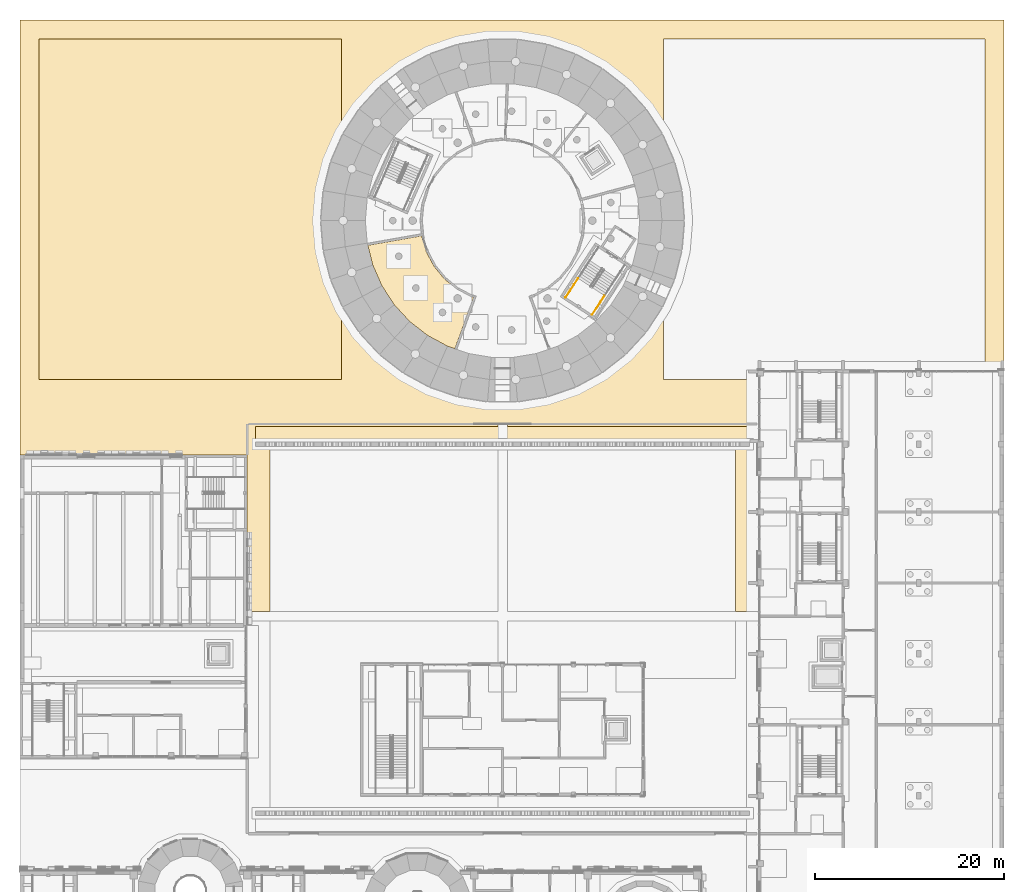
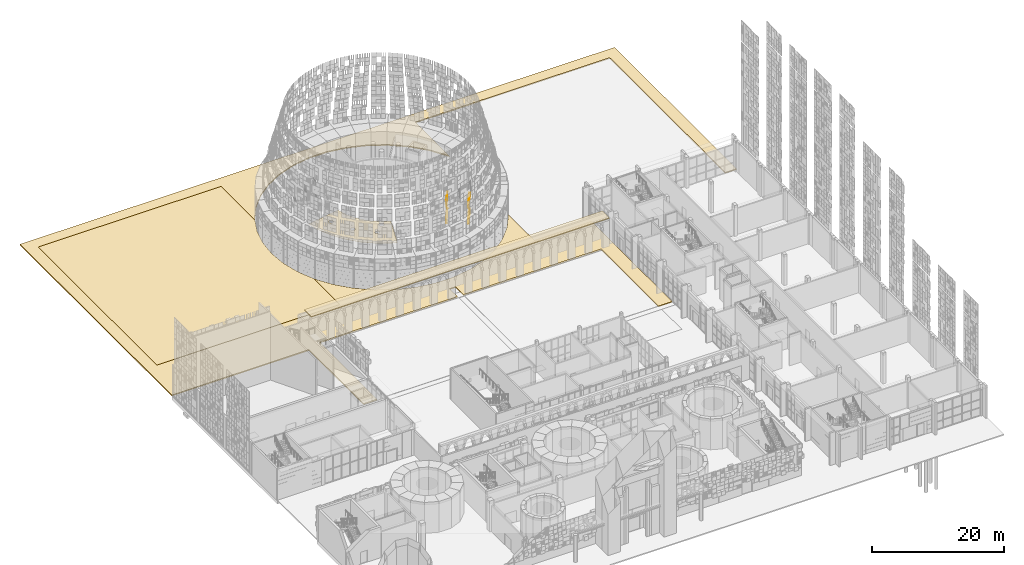
# One storey, part 118 of 125: 4 coverings, 4 railings.
"""IFC4 building model written with IfcOpenShell, lengths in metres."""

import ifcopenshell
import ifcopenshell.guid

model = None  # the IFC model being written
_history = None  # IfcOwnerHistory: only IFC2X3 demands one
_inside = {}  # id of a spatial element -> (the spatial element, [elements in it])
_under = {}  # id of a project, library or spatial element -> (it, [spatial elements below it])
_declared = {}  # id of a project -> (the project, [libraries it declares])
_typed = {}  # id of a type object -> (the type object, [elements of that type])
_made_of = {}  # id of a material, layer set ... -> (it, [elements and type objects made of it])


def new_model(schema):
    """Start an empty IFC model of exactly this schema.

    Asked for "IFC4X3", IfcOpenShell would pick the latest addendum, in which some entities
    have other attributes; the version numbers below select the first issue.
    IFC2X3 requires an IfcOwnerHistory on every rooted entity: one is made here for all.
    """
    global model, _history
    if schema == "IFC4X3":
        model = ifcopenshell.file(schema_version=(4, 3, 0, 0))
    else:
        model = ifcopenshell.file(schema=schema)
    _inside.clear()
    _under.clear()
    _declared.clear()
    _typed.clear()
    _made_of.clear()
    _history = None
    if model.schema == "IFC2X3":
        org = make("IfcOrganization", Name="unknown")
        user = make(
            "IfcPersonAndOrganization",
            ThePerson=make("IfcPerson", FamilyName="unknown"),
            TheOrganization=org,
        )
        app = make(
            "IfcApplication",
            ApplicationDeveloper=org,
            Version="unknown",
            ApplicationFullName="unknown",
            ApplicationIdentifier="unknown",
        )
        _history = make(
            "IfcOwnerHistory",
            OwningUser=user,
            OwningApplication=app,
            ChangeAction="ADDED",
            CreationDate=0,
        )
    return model


def make(cls, **values):
    """One entity of the class cls with the attributes given. An attribute that is None is left unset."""
    return model.create_entity(
        cls, **{name: value for name, value in values.items() if value is not None}
    )


def rooted(cls, **values):
    """An entity with a GlobalId (a new one), such as an element, a storey or a relation."""
    return make(cls, GlobalId=ifcopenshell.guid.new(), OwnerHistory=_history, **values)


def si_unit(unit_type, name, prefix=None):
    """IfcSIUnit, for example si_unit("LENGTHUNIT", "METRE", prefix="MILLI")."""
    return make("IfcSIUnit", UnitType=unit_type, Prefix=prefix, Name=name)


def assignment(units):
    """IfcUnitAssignment: the units of a project."""
    return None if units is None else make("IfcUnitAssignment", Units=units)


def point(xyz):
    """IfcCartesianPoint."""
    return None if xyz is None else make("IfcCartesianPoint", Coordinates=xyz)


def direction(xyz):
    """IfcDirection."""
    return None if xyz is None else make("IfcDirection", DirectionRatios=xyz)


def frame(location, z_axis=None, x_axis=None):
    """IfcAxis2Placement3D, a coordinate frame: its origin and axes. An axis left out is left unset."""
    return make(
        "IfcAxis2Placement3D",
        Location=point(location),
        Axis=direction(z_axis),
        RefDirection=direction(x_axis),
    )


def frame_2d(location, x_axis=None):
    """IfcAxis2Placement2D, a coordinate frame in the plane: its origin and x axis."""
    return make(
        "IfcAxis2Placement2D", Location=point(location), RefDirection=direction(x_axis)
    )


def origin():
    """The frame at (0, 0, 0) with its axes left unset."""
    return frame((0.0, 0.0, 0.0))


def origin_2d():
    """The frame at (0, 0) in the plane with its x axis left unset."""
    return frame_2d((0.0, 0.0))


def place(relative_to, where):
    """IfcLocalPlacement: puts the frame where relative to a parent placement (None: the world)."""
    return make(
        "IfcLocalPlacement", PlacementRelTo=relative_to, RelativePlacement=where
    )


def context(
    kind, dimensions, precision=None, world=None, true_north=None, identifier=None
):
    """IfcGeometricRepresentationContext, for example the 3D "Model" context."""
    return make(
        "IfcGeometricRepresentationContext",
        ContextIdentifier=identifier,
        ContextType=kind,
        CoordinateSpaceDimension=dimensions,
        Precision=precision,
        WorldCoordinateSystem=world,
        TrueNorth=true_north,
    )


def subcontext(parent, identifier, kind, view, scale=None):
    """IfcGeometricRepresentationSubContext, for example "Body" below "Model"."""
    return make(
        "IfcGeometricRepresentationSubContext",
        ContextIdentifier=identifier,
        ContextType=kind,
        ParentContext=parent,
        TargetScale=scale,
        TargetView=view,
    )


def project(units=None, contexts=None):
    """IfcProject with its units and contexts."""
    return rooted(
        "IfcProject",
        Name="project",
        RepresentationContexts=contexts,
        UnitsInContext=assignment(units),
    )


def spatial(cls, under=None, at=None, **own):
    """A site, building, storey or space (cls), placed at a placement, below another one or the project."""
    s = rooted(cls, ObjectPlacement=at, **own)
    if under is not None:
        _under.setdefault(under.id(), (under, []))[1].append(s)
    return s


def polyline(points):
    """IfcPolyline through the points."""
    return make("IfcPolyline", Points=[point(p) for p in points])


def profile(cls, at=None, kind="AREA", **sizes):
    """A parametric profile (cls). Its sizes go by their IFC names, for example OverallWidth=200.0."""
    return make(cls, ProfileType=kind, Position=at, **sizes)


def circle(**sizes):
    """IfcCircleProfileDef."""
    return profile("IfcCircleProfileDef", **sizes)


def outline(outer, holes=None, kind="AREA"):
    """IfcArbitraryClosedProfileDef: a profile drawn as a closed curve; with holes, ...WithVoids."""
    if holes is None:
        return make("IfcArbitraryClosedProfileDef", ProfileType=kind, OuterCurve=outer)
    return make(
        "IfcArbitraryProfileDefWithVoids",
        ProfileType=kind,
        OuterCurve=outer,
        InnerCurves=holes,
    )


def extrude(swept, where, along, depth):
    """IfcExtrudedAreaSolid: the profile swept, set in the frame where, extruded along a direction by depth."""
    return make(
        "IfcExtrudedAreaSolid",
        SweptArea=swept,
        Position=where,
        ExtrudedDirection=direction(along),
        Depth=depth,
    )


def shape(context_of_items, identifier, shape_type, items):
    """IfcShapeRepresentation: the items that make up one representation, for example the "Body"."""
    return make(
        "IfcShapeRepresentation",
        ContextOfItems=context_of_items,
        RepresentationIdentifier=identifier,
        RepresentationType=shape_type,
        Items=items,
    )


def material(Name=None, Category=None):
    """IfcMaterial."""
    return make("IfcMaterial", Name=Name, Category=Category)


def layer(
    of_material, thickness, ventilated=None, Name=None, Category=None, Priority=None
):
    """IfcMaterialLayer: one layer of a wall or slab, of a material (None: an air gap)."""
    return make(
        "IfcMaterialLayer",
        Material=of_material,
        LayerThickness=thickness,
        IsVentilated=ventilated,
        Name=Name,
        Category=Category,
        Priority=Priority,
    )


def layer_set(layers, Name=None):
    """IfcMaterialLayerSet."""
    return make("IfcMaterialLayerSet", MaterialLayers=layers, LayerSetName=Name)


def made_of(thing, what):
    """Note that an element or type object is made of a material, layer set ...; save() writes the relation."""
    if what is not None:
        _made_of.setdefault(what.id(), (what, []))[1].append(thing)
    return thing


def type_object(cls, material=None, **own):
    """A type object (cls), such as IfcWallType, which elements share."""
    return made_of(rooted(cls, **own), material)


def element(
    cls,
    number,
    at=None,
    inside=None,
    cuts=None,
    type_object=None,
    material=None,
    context=None,
    identifier="Body",
    shape_type=None,
    held_by="IfcProductDefinitionShape",
    body=None,
    shapes=None,
    **own,
):
    """One element of the class cls, such as IfcWall. Its Tag is "e" and its number.

    at: its placement. inside: the storey or other place that contains it. cuts: it is an
    opening in that element (IfcRelVoidsElement). A single representation is given by context,
    identifier, shape_type and body (its items); several are given by shapes. held_by: the class
    of the entity that holds the representations. save() writes the other relations.
    """
    e = rooted(cls, Tag="e%d" % number, ObjectPlacement=at, **own)
    if body is not None:
        shapes = [shape(context, identifier, shape_type, body)]
    if shapes is not None:
        e.Representation = make(held_by, Representations=shapes)
    if inside is not None:
        _inside.setdefault(inside.id(), (inside, []))[1].append(e)
    if cuts is not None:
        rooted(
            "IfcRelVoidsElement", RelatingBuildingElement=cuts, RelatedOpeningElement=e
        )
    if type_object is not None:
        _typed.setdefault(type_object.id(), (type_object, []))[1].append(e)
    return made_of(e, material)


def aggregate(whole, parts):
    """IfcRelAggregates: a whole, such as a stair, and the parts it consists of."""
    return rooted("IfcRelAggregates", RelatingObject=whole, RelatedObjects=parts)


def save(model, path):
    """Write the relations noted so far, then the file.

    IfcRelAggregates (storeys below a building ...), IfcRelContainedInSpatialStructure (elements
    in a storey), IfcRelDefinesByType, IfcRelAssociatesMaterial and IfcRelDeclares: one each for
    every whole, place, type object, material and project.
    """
    for whole, parts in _under.values():
        aggregate(whole, parts)
    for where, things in _inside.values():
        rooted(
            "IfcRelContainedInSpatialStructure",
            RelatedElements=things,
            RelatingStructure=where,
        )
    for kind, things in _typed.values():
        rooted("IfcRelDefinesByType", RelatedObjects=things, RelatingType=kind)
    for what, things in _made_of.values():
        rooted("IfcRelAssociatesMaterial", RelatedObjects=things, RelatingMaterial=what)
    for by, libraries in _declared.values():
        rooted("IfcRelDeclares", RelatingContext=by, RelatedDefinitions=libraries)
    model.write(path)


model = new_model("IFC4")

# Units and contexts
model_context = context("Model", 3, precision=1e-05, world=origin(), true_north=direction((0.0, 1.0)))
body_context = subcontext(model_context, "Body", "Model", "MODEL_VIEW")
ifc_project = project(units=[si_unit("LENGTHUNIT", "METRE"), si_unit("AREAUNIT", "SQUARE_METRE"), si_unit("VOLUMEUNIT", "CUBIC_METRE"), si_unit("PLANEANGLEUNIT", "RADIAN"), si_unit("MASSUNIT", "GRAM", prefix="KILO")], contexts=[model_context])

# Site, building, storey
site_placement = place(None, origin())
site = spatial("IfcSite", under=ifc_project, at=site_placement, CompositionType="ELEMENT")
building_placement = place(site_placement, origin())
building = spatial("IfcBuilding", under=site, at=building_placement, Name="Sun Court Science Centre", CompositionType="ELEMENT")
storey_placement = place(building_placement, origin())
storey = spatial("IfcBuildingStorey", under=building, at=storey_placement, Name="L00", CompositionType="ELEMENT", Elevation=0.0)

# Coverings
ifc_material_1 = material(Name="Clay roof tiles")
ifc_layer_1 = layer(ifc_material_1, 0.14990234375)
ifc_layer_set_1 = layer_set([ifc_layer_1], Name="Clay roof tiles")
covering_type_1 = type_object("IfcCoveringType", Name="Arcade roof tiles 150", PredefinedType="ROOFING", material=ifc_layer_set_1)
covering_1_placement = place(storey_placement, frame((0.0, 0.0, 5.10009765625)))
element("IfcCovering", 1, at=covering_1_placement, inside=storey, type_object=covering_type_1, Name="Arcade roof AR2", PredefinedType="ROOFING", context=body_context, shape_type="SweptSolid", body=[
    extrude(outline(polyline([(24.89990234375, 72.89990234375), (77.10009765625, 72.89990234375), (77.10009765625, 75.050048828125), (24.89990234375, 75.050048828125), (24.89990234375, 72.89990234375)])), origin(), (0.0, 0.0, 1.0), 0.14990234375),
])
ifc_material_2 = material(Name="Perforated steel", Category="steel")
ifc_layer_2 = layer(ifc_material_2, 0.030029296875)
ifc_layer_set_2 = layer_set([ifc_layer_2], Name="Perforated steel")
covering_type_2 = type_object("IfcCoveringType", Name="Ceiling acoustic perforated", PredefinedType="CEILING", material=ifc_layer_set_2)
covering_2_placement = place(storey_placement, frame((0.0, 0.0, 5.27001953125)))
element("IfcCovering", 2, at=covering_2_placement, inside=storey, type_object=covering_type_2, Name="L00-088 ceiling", PredefinedType="CEILING", context=body_context, shape_type="SweptSolid", body=[
    extrude(outline(polyline([(38.2490234375, 89.899658203125), (37.287353515625, 92.09228515625), (36.7568359375, 94.18701171875), (42.4580078125, 95.192138671875), (42.466796875, 95.1025390625), (42.9619140625, 93.470458984375), (43.765869140625, 91.96630859375), (44.847900390625, 90.647705078125), (46.166259765625, 89.56591796875), (47.67041015625, 88.76171875), (47.938232421875, 88.680419921875), (45.962890625, 83.252685546875), (45.176025390625, 83.52294921875), (43.0703125, 84.66259765625), (41.1806640625, 86.13330078125), (39.558837890625, 87.89501953125), (38.2490234375, 89.899658203125)]), holes=[polyline([(46.649169921875, 88.546630859375), (46.64990234375, 88.57275390625), (46.649169921875, 88.598876953125), (46.646484375, 88.625), (46.642333984375, 88.65087890625), (46.636474609375, 88.67626953125), (46.62890625, 88.701416015625), (46.61962890625, 88.725830078125), (46.608642578125, 88.749755859375), (46.596435546875, 88.772705078125), (46.58251953125, 88.794921875), (46.5673828125, 88.81640625), (46.55078125, 88.83642578125), (46.53271484375, 88.855712890625), (46.513671875, 88.87353515625), (46.493408203125, 88.89013671875), (46.47216796875, 88.9052734375), (46.449951171875, 88.919189453125), (46.427001953125, 88.931396484375), (46.403076171875, 88.9423828125), (46.378662109375, 88.951416015625), (46.353515625, 88.958984375), (46.327880859375, 88.965087890625), (46.30224609375, 88.96923828125), (46.276123046875, 88.971923828125), (46.25, 88.972900390625), (46.223876953125, 88.971923828125), (46.19775390625, 88.96923828125), (46.172119140625, 88.965087890625), (46.146484375, 88.958984375), (46.121337890625, 88.951416015625), (46.096923828125, 88.9423828125), (46.072998046875, 88.931396484375), (46.050048828125, 88.919189453125), (46.02783203125, 88.9052734375), (46.006591796875, 88.89013671875), (45.986328125, 88.87353515625), (45.96728515625, 88.855712890625), (45.94921875, 88.83642578125), (45.9326171875, 88.81640625), (45.91748046875, 88.794921875), (45.903564453125, 88.772705078125), (45.891357421875, 88.749755859375), (45.88037109375, 88.725830078125), (45.87109375, 88.701416015625), (45.863525390625, 88.67626953125), (45.857666015625, 88.65087890625), (45.853515625, 88.625), (45.850830078125, 88.598876953125), (45.85009765625, 88.57275390625), (45.850830078125, 88.546630859375), (45.853515625, 88.5205078125), (45.857666015625, 88.49462890625), (45.863525390625, 88.46923828125), (45.87109375, 88.444091796875), (45.88037109375, 88.419677734375), (45.891357421875, 88.395751953125), (45.903564453125, 88.372802734375), (45.91748046875, 88.3505859375), (45.9326171875, 88.329345703125), (45.94921875, 88.30908203125), (45.96728515625, 88.289794921875), (45.986328125, 88.27197265625), (46.006591796875, 88.25537109375), (46.02783203125, 88.240234375), (46.050048828125, 88.226318359375), (46.072998046875, 88.214111328125), (46.096923828125, 88.203125), (46.121337890625, 88.194091796875), (46.146484375, 88.186279296875), (46.172119140625, 88.180419921875), (46.19775390625, 88.17626953125), (46.223876953125, 88.173583984375), (46.25, 88.1728515625), (46.276123046875, 88.173583984375), (46.30224609375, 88.17626953125), (46.327880859375, 88.180419921875), (46.353515625, 88.186279296875), (46.378662109375, 88.194091796875), (46.403076171875, 88.203125), (46.427001953125, 88.214111328125), (46.449951171875, 88.226318359375), (46.47216796875, 88.240234375), (46.493408203125, 88.25537109375), (46.513671875, 88.27197265625), (46.53271484375, 88.289794921875), (46.55078125, 88.30908203125), (46.5673828125, 88.329345703125), (46.58251953125, 88.3505859375), (46.596435546875, 88.372802734375), (46.608642578125, 88.395751953125), (46.61962890625, 88.419677734375), (46.62890625, 88.444091796875), (46.636474609375, 88.46923828125), (46.642333984375, 88.49462890625), (46.646484375, 88.5205078125), (46.649169921875, 88.546630859375)]), polyline([(44.998779296875, 87.0205078125), (45.00244140625, 87.043212890625), (45.004638671875, 87.06591796875), (45.00537109375, 87.0888671875), (45.004638671875, 87.11181640625), (45.00244140625, 87.134521484375), (44.998779296875, 87.1572265625), (44.993408203125, 87.179443359375), (44.98681640625, 87.201416015625), (44.978759765625, 87.222900390625), (44.96923828125, 87.24365234375), (44.95849609375, 87.263916015625), (44.9462890625, 87.283203125), (44.93310546875, 87.302001953125), (44.91845703125, 87.319580078125), (44.90283203125, 87.33642578125), (44.88623046875, 87.35205078125), (44.868408203125, 87.366455078125), (44.849853515625, 87.3798828125), (44.830322265625, 87.39208984375), (44.810302734375, 87.40283203125), (44.789306640625, 87.412109375), (44.767822265625, 87.42041015625), (44.74609375, 87.427001953125), (44.7236328125, 87.43212890625), (44.701171875, 87.435791015625), (44.67822265625, 87.43798828125), (44.655517578125, 87.43896484375), (44.632568359375, 87.43798828125), (44.609619140625, 87.435791015625), (44.587158203125, 87.43212890625), (44.564697265625, 87.427001953125), (44.54296875, 87.42041015625), (44.521484375, 87.412109375), (44.50048828125, 87.40283203125), (44.48046875, 87.39208984375), (44.4609375, 87.3798828125), (44.4423828125, 87.366455078125), (44.424560546875, 87.35205078125), (44.407958984375, 87.33642578125), (44.392333984375, 87.319580078125), (44.377685546875, 87.302001953125), (44.364501953125, 87.283203125), (44.352294921875, 87.263916015625), (44.341552734375, 87.24365234375), (44.33203125, 87.222900390625), (44.323974609375, 87.201416015625), (44.3173828125, 87.179443359375), (44.31201171875, 87.1572265625), (44.308349609375, 87.134521484375), (44.30615234375, 87.11181640625), (44.305419921875, 87.0888671875), (44.30615234375, 87.06591796875), (44.308349609375, 87.043212890625), (44.31201171875, 87.0205078125), (44.3173828125, 86.998291015625), (44.323974609375, 86.976318359375), (44.33203125, 86.954833984375), (44.341552734375, 86.93408203125), (44.352294921875, 86.913818359375), (44.364501953125, 86.894287109375), (44.377685546875, 86.875732421875), (44.392333984375, 86.858154296875), (44.407958984375, 86.84130859375), (44.424560546875, 86.82568359375), (44.4423828125, 86.811279296875), (44.4609375, 86.7978515625), (44.48046875, 86.785888671875), (44.50048828125, 86.77490234375), (44.521484375, 86.765380859375), (44.54296875, 86.75732421875), (44.564697265625, 86.750732421875), (44.587158203125, 86.74560546875), (44.609619140625, 86.741943359375), (44.632568359375, 86.739501953125), (44.655517578125, 86.739013671875), (44.67822265625, 86.739501953125), (44.701171875, 86.741943359375), (44.7236328125, 86.74560546875), (44.74609375, 86.750732421875), (44.767822265625, 86.75732421875), (44.789306640625, 86.765380859375), (44.810302734375, 86.77490234375), (44.830322265625, 86.785888671875), (44.849853515625, 86.7978515625), (44.868408203125, 86.811279296875), (44.88623046875, 86.82568359375), (44.90283203125, 86.84130859375), (44.91845703125, 86.858154296875), (44.93310546875, 86.875732421875), (44.9462890625, 86.894287109375), (44.95849609375, 86.913818359375), (44.96923828125, 86.93408203125), (44.978759765625, 86.954833984375), (44.98681640625, 86.976318359375), (44.993408203125, 86.998291015625), (44.998779296875, 87.0205078125)]), polyline([(42.189208984375, 89.60693359375), (42.193115234375, 89.62939453125), (42.1953125, 89.652099609375), (42.196044921875, 89.675048828125), (42.1953125, 89.697998046875), (42.193115234375, 89.720703125), (42.189208984375, 89.743408203125), (42.18408203125, 89.765625), (42.177490234375, 89.78759765625), (42.169189453125, 89.80908203125), (42.159912109375, 89.829833984375), (42.149169921875, 89.85009765625), (42.136962890625, 89.86962890625), (42.12353515625, 89.88818359375), (42.109130859375, 89.906005859375), (42.093505859375, 89.922607421875), (42.07666015625, 89.938232421875), (42.05908203125, 89.952880859375), (42.040283203125, 89.966064453125), (42.02099609375, 89.978271484375), (42.000732421875, 89.989013671875), (41.97998046875, 89.99853515625), (41.95849609375, 90.006591796875), (41.9365234375, 90.01318359375), (41.914306640625, 90.018310546875), (41.8916015625, 90.022216796875), (41.868896484375, 90.0244140625), (41.845947265625, 90.025146484375), (41.822998046875, 90.0244140625), (41.80029296875, 90.022216796875), (41.777587890625, 90.018310546875), (41.75537109375, 90.01318359375), (41.7333984375, 90.006591796875), (41.7119140625, 89.99853515625), (41.691162109375, 89.989013671875), (41.6708984375, 89.978271484375), (41.651611328125, 89.966064453125), (41.6328125, 89.952880859375), (41.615234375, 89.938232421875), (41.598388671875, 89.922607421875), (41.582763671875, 89.906005859375), (41.568359375, 89.88818359375), (41.554931640625, 89.86962890625), (41.54296875, 89.85009765625), (41.531982421875, 89.829833984375), (41.522705078125, 89.80908203125), (41.514404296875, 89.78759765625), (41.5078125, 89.765625), (41.502685546875, 89.743408203125), (41.4990234375, 89.720703125), (41.49658203125, 89.697998046875), (41.49609375, 89.675048828125), (41.49658203125, 89.652099609375), (41.4990234375, 89.62939453125), (41.502685546875, 89.60693359375), (41.5078125, 89.58447265625), (41.514404296875, 89.5625), (41.522705078125, 89.541259765625), (41.531982421875, 89.520263671875), (41.54296875, 89.5), (41.554931640625, 89.480712890625), (41.568359375, 89.462158203125), (41.582763671875, 89.4443359375), (41.598388671875, 89.427490234375), (41.615234375, 89.412109375), (41.6328125, 89.3974609375), (41.651611328125, 89.384033203125), (41.6708984375, 89.3720703125), (41.691162109375, 89.361083984375), (41.7119140625, 89.351806640625), (41.7333984375, 89.34375), (41.75537109375, 89.337158203125), (41.777587890625, 89.331787109375), (41.80029296875, 89.328125), (41.822998046875, 89.325927734375), (41.845947265625, 89.3251953125), (41.868896484375, 89.325927734375), (41.8916015625, 89.328125), (41.914306640625, 89.331787109375), (41.9365234375, 89.337158203125), (41.95849609375, 89.34375), (41.97998046875, 89.351806640625), (42.000732421875, 89.361083984375), (42.02099609375, 89.3720703125), (42.040283203125, 89.384033203125), (42.05908203125, 89.3974609375), (42.07666015625, 89.412109375), (42.093505859375, 89.427490234375), (42.109130859375, 89.4443359375), (42.12353515625, 89.462158203125), (42.136962890625, 89.480712890625), (42.149169921875, 89.5), (42.159912109375, 89.520263671875), (42.169189453125, 89.541259765625), (42.177490234375, 89.5625), (42.18408203125, 89.58447265625), (42.189208984375, 89.60693359375)]), polyline([(40.36669921875, 92.94287109375), (40.371826171875, 92.965087890625), (40.37548828125, 92.98779296875), (40.377685546875, 93.010498046875), (40.37841796875, 93.033447265625), (40.377685546875, 93.056396484375), (40.37548828125, 93.0791015625), (40.371826171875, 93.101806640625), (40.36669921875, 93.1240234375), (40.35986328125, 93.14599609375), (40.351806640625, 93.16748046875), (40.34228515625, 93.188232421875), (40.33154296875, 93.20849609375), (40.319580078125, 93.227783203125), (40.30615234375, 93.24658203125), (40.291748046875, 93.264404296875), (40.27587890625, 93.281005859375), (40.25927734375, 93.296630859375), (40.24169921875, 93.311279296875), (40.222900390625, 93.324462890625), (40.20361328125, 93.336669921875), (40.183349609375, 93.347412109375), (40.16259765625, 93.356689453125), (40.14111328125, 93.364990234375), (40.119140625, 93.37158203125), (40.0966796875, 93.376708984375), (40.07421875, 93.380615234375), (40.051513671875, 93.3828125), (40.028564453125, 93.383544921875), (40.005615234375, 93.3828125), (39.98291015625, 93.380615234375), (39.960205078125, 93.376708984375), (39.93798828125, 93.37158203125), (39.916015625, 93.364990234375), (39.89453125, 93.356689453125), (39.873779296875, 93.347412109375), (39.853515625, 93.336669921875), (39.833984375, 93.324462890625), (39.8154296875, 93.311279296875), (39.797607421875, 93.296630859375), (39.781005859375, 93.281005859375), (39.765380859375, 93.264404296875), (39.750732421875, 93.24658203125), (39.737548828125, 93.227783203125), (39.725341796875, 93.20849609375), (39.714599609375, 93.188232421875), (39.705078125, 93.16748046875), (39.697021484375, 93.14599609375), (39.6904296875, 93.1240234375), (39.685302734375, 93.101806640625), (39.681396484375, 93.0791015625), (39.67919921875, 93.056396484375), (39.678466796875, 93.033447265625), (39.67919921875, 93.010498046875), (39.681396484375, 92.98779296875), (39.685302734375, 92.965087890625), (39.6904296875, 92.94287109375), (39.697021484375, 92.9208984375), (39.705078125, 92.8994140625), (39.714599609375, 92.878662109375), (39.725341796875, 92.8583984375), (39.737548828125, 92.839111328125), (39.750732421875, 92.8203125), (39.765380859375, 92.802734375), (39.781005859375, 92.785888671875), (39.797607421875, 92.770263671875), (39.8154296875, 92.755859375), (39.833984375, 92.742431640625), (39.853515625, 92.73046875), (39.873779296875, 92.719482421875), (39.89453125, 92.710205078125), (39.916015625, 92.7021484375), (39.93798828125, 92.6953125), (39.960205078125, 92.690185546875), (39.98291015625, 92.6865234375), (40.005615234375, 92.68408203125), (40.028564453125, 92.68359375), (40.051513671875, 92.68408203125), (40.07421875, 92.6865234375), (40.0966796875, 92.690185546875), (40.119140625, 92.6953125), (40.14111328125, 92.7021484375), (40.16259765625, 92.710205078125), (40.183349609375, 92.719482421875), (40.20361328125, 92.73046875), (40.222900390625, 92.742431640625), (40.24169921875, 92.755859375), (40.25927734375, 92.770263671875), (40.27587890625, 92.785888671875), (40.291748046875, 92.802734375), (40.30615234375, 92.8203125), (40.319580078125, 92.839111328125), (40.33154296875, 92.8583984375), (40.34228515625, 92.878662109375), (40.351806640625, 92.8994140625), (40.35986328125, 92.9208984375), (40.36669921875, 92.94287109375)])]), origin(), (0.0, 0.0, 1.0), 0.030029296875),
])

# Railings
ifc_material_3 = material(Name="Steel S275", Category="steel")
railing_type = type_object("IfcRailingType", Name="Guard 1100 steel balustrade", PredefinedType="GUARDRAIL", material=ifc_material_3)
railing_1_placement = place(storey_placement, frame((58.99072265625, 90.697998046875, 1.5)))
element("IfcRailing", 3, at=railing_1_placement, inside=storey, type_object=railing_type, Name="L00 PS1 stair guard 3", PredefinedType="GUARDRAIL", context=body_context, shape_type="SweptSolid", body=[
    extrude(circle(Radius=0.02392578125, at=origin_2d()), frame((0.0, 0.0, 1.076171875), z_axis=(-0.546968446101, -0.837153223114, 0.0), x_axis=(0.837153223114, -0.546968446101, 0.0)), (0.0, 0.0, 1.0), 2.412109375),
    extrude(circle(Radius=0.02099609375, at=origin_2d()), origin(), (0.0, 0.0, 1.0), 1.052001953125),
    extrude(circle(Radius=0.02099609375, at=origin_2d()), frame((-0.439697265625, -0.673095703125, 0.0)), (0.0, 0.0, 1.0), 1.052001953125),
    extrude(circle(Radius=0.02099609375, at=origin_2d()), frame((-0.879638671875, -1.34619140625, 0.0)), (0.0, 0.0, 1.0), 1.052001953125),
    extrude(circle(Radius=0.02099609375, at=origin_2d()), frame((-1.3193359375, -2.019287109375, 0.0)), (0.0, 0.0, 1.0), 1.052001953125),
])
railing_2_placement = place(storey_placement, frame((61.791748046875, 88.867919921875, 1.5)))
element("IfcRailing", 4, at=railing_2_placement, inside=storey, type_object=railing_type, Name="L00 PS1 stair guard 4", PredefinedType="GUARDRAIL", context=body_context, shape_type="SweptSolid", body=[
    extrude(circle(Radius=0.02392578125, at=origin_2d()), frame((0.0, 0.0, 1.076171875), z_axis=(-0.54689750582, -0.837199568877, 0.0), x_axis=(0.837199568877, -0.54689750582, 0.0)), (0.0, 0.0, 1.0), 2.411865234375),
    extrude(circle(Radius=0.02099609375, at=origin_2d()), origin(), (0.0, 0.0, 1.0), 1.052001953125),
    extrude(circle(Radius=0.02099609375, at=origin_2d()), frame((-0.439697265625, -0.673095703125, 0.0)), (0.0, 0.0, 1.0), 1.052001953125),
    extrude(circle(Radius=0.02099609375, at=origin_2d()), frame((-0.87939453125, -1.34619140625, 0.0)), (0.0, 0.0, 1.0), 1.052001953125),
    extrude(circle(Radius=0.02099609375, at=origin_2d()), frame((-1.319091796875, -2.019287109375, 0.0)), (0.0, 0.0, 1.0), 1.052001953125),
])
railing_3_placement = place(storey_placement, frame((58.99072265625, 90.697998046875, 4.5)))
element("IfcRailing", 5, at=railing_3_placement, inside=storey, type_object=railing_type, Name="L00 PS1 stair guard 11", PredefinedType="GUARDRAIL", context=body_context, shape_type="SweptSolid", body=[
    extrude(circle(Radius=0.02392578125, at=origin_2d()), frame((0.0, 0.0, 1.076171875), z_axis=(-0.546968446101, -0.837153223114, 0.0), x_axis=(0.837153223114, -0.546968446101, 0.0)), (0.0, 0.0, 1.0), 2.412109375),
    extrude(circle(Radius=0.02099609375, at=origin_2d()), origin(), (0.0, 0.0, 1.0), 1.052001953125),
    extrude(circle(Radius=0.02099609375, at=origin_2d()), frame((-0.439697265625, -0.673095703125, 0.0)), (0.0, 0.0, 1.0), 1.052001953125),
    extrude(circle(Radius=0.02099609375, at=origin_2d()), frame((-0.879638671875, -1.34619140625, 0.0)), (0.0, 0.0, 1.0), 1.052001953125),
    extrude(circle(Radius=0.02099609375, at=origin_2d()), frame((-1.3193359375, -2.019287109375, 0.0)), (0.0, 0.0, 1.0), 1.052001953125),
])
railing_4_placement = place(storey_placement, frame((61.791748046875, 88.867919921875, 4.5)))
element("IfcRailing", 6, at=railing_4_placement, inside=storey, type_object=railing_type, Name="L00 PS1 stair guard 12", PredefinedType="GUARDRAIL", context=body_context, shape_type="SweptSolid", body=[
    extrude(circle(Radius=0.02392578125, at=origin_2d()), frame((0.0, 0.0, 1.076171875), z_axis=(-0.54689750582, -0.837199568877, 0.0), x_axis=(0.837199568877, -0.54689750582, 0.0)), (0.0, 0.0, 1.0), 2.411865234375),
    extrude(circle(Radius=0.02099609375, at=origin_2d()), origin(), (0.0, 0.0, 1.0), 1.052001953125),
    extrude(circle(Radius=0.02099609375, at=origin_2d()), frame((-0.439697265625, -0.673095703125, 0.0)), (0.0, 0.0, 1.0), 1.052001953125),
    extrude(circle(Radius=0.02099609375, at=origin_2d()), frame((-0.87939453125, -1.34619140625, 0.0)), (0.0, 0.0, 1.0), 1.052001953125),
    extrude(circle(Radius=0.02099609375, at=origin_2d()), frame((-1.319091796875, -2.019287109375, 0.0)), (0.0, 0.0, 1.0), 1.052001953125),
])

# Coverings
ifc_material_4 = material(Name="Planting soil and lawn")
ifc_layer_3 = layer(ifc_material_4, 0.199951171875)
ifc_layer_set_3 = layer_set([ifc_layer_3], Name="Planting soil and lawn")
covering_type_3 = type_object("IfcCoveringType", Name="Planting bed 200", PredefinedType="FLOORING", material=ifc_layer_set_3)
covering_3_placement = place(storey_placement, frame((0.0, 0.0, -0.199951171875)))
element("IfcCovering", 7, at=covering_3_placement, inside=storey, type_object=covering_type_3, Name="Planting beds", PredefinedType="FLOORING", context=body_context, shape_type="SweptSolid", body=[
    extrude(outline(polyline([(34.0, 116.0), (34.0, 105.677978515625), (32.84033203125, 103.0341796875), (32.061767578125, 99.960205078125), (31.800048828125, 96.800048828125), (32.061767578125, 93.639892578125), (32.84033203125, 90.565673828125), (34.0, 87.921875), (34.0, 80.0), (2.0, 80.0), (2.0, 116.0), (34.0, 116.0)])), origin(), (0.0, 0.0, 1.0), 0.199951171875),
])
ifc_material_5 = material(Name="Sandstone paving", Category="masonry")
ifc_layer_4 = layer(ifc_material_5, 0.199951171875)
ifc_layer_set_4 = layer_set([ifc_layer_4], Name="Sandstone paving")
covering_type_4 = type_object("IfcCoveringType", Name="Stone paving 200", PredefinedType="FLOORING", material=ifc_layer_set_4)
covering_4_placement = place(storey_placement, frame((0.0, 0.0, -0.199951171875)))
element("IfcCovering", 8, at=covering_4_placement, inside=storey, type_object=covering_type_4, Name="Site paving", PredefinedType="FLOORING", context=body_context, shape_type="SweptSolid", body=[
    extrude(outline(polyline([(0.0, 72.0), (0.0, 118.0), (104.0, 118.0), (104.0, 81.0), (102.0, 81.0), (102.0, 116.0), (68.0, 116.0), (68.0, 105.677978515625), (67.885986328125, 105.938232421875), (66.151611328125, 108.5927734375), (64.00390625, 110.92578125), (61.50146484375, 112.87353515625), (58.712646484375, 114.3828125), (55.71337890625, 115.41259765625), (52.58544921875, 115.934326171875), (49.41455078125, 115.934326171875), (46.28662109375, 115.41259765625), (43.287353515625, 114.3828125), (40.49853515625, 112.87353515625), (37.99609375, 110.92578125), (35.848388671875, 108.5927734375), (34.114013671875, 105.938232421875), (32.84033203125, 103.0341796875), (34.0, 105.677978515625), (34.0, 116.0), (2.0, 116.0), (2.0, 80.0), (34.0, 80.0), (34.0, 87.921875), (34.114013671875, 87.661865234375), (35.848388671875, 85.007080078125), (37.99609375, 82.674072265625), (40.49853515625, 80.726318359375), (43.287353515625, 79.217041015625), (46.28662109375, 78.1875), (49.41455078125, 77.66552734375), (52.58544921875, 77.66552734375), (55.71337890625, 78.1875), (58.712646484375, 79.217041015625), (61.50146484375, 80.726318359375), (64.00390625, 82.674072265625), (66.151611328125, 85.007080078125), (67.885986328125, 87.661865234375), (69.15966796875, 90.565673828125), (68.0, 87.921875), (68.0, 80.0), (78.0, 80.0), (78.0, 55.5), (75.60009765625, 55.5), (75.60009765625, 72.89990234375), (51.5, 72.89990234375), (51.5, 75.300048828125), (50.5, 75.300048828125), (50.5, 72.89990234375), (26.39990234375, 72.89990234375), (26.39990234375, 55.5), (24.0, 55.5), (24.0, 72.0), (0.0, 72.0)])), origin(), (0.0, 0.0, 1.0), 0.199951171875),
])

save(model, "model.ifc")
